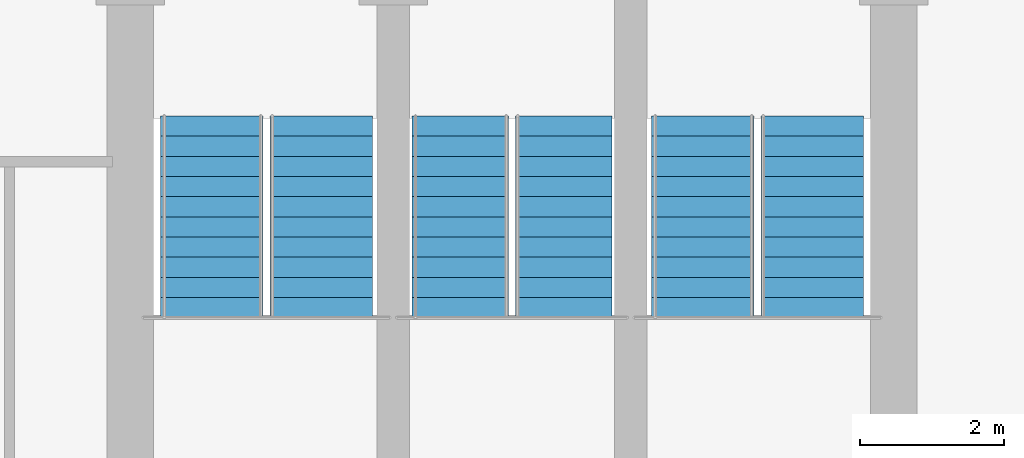
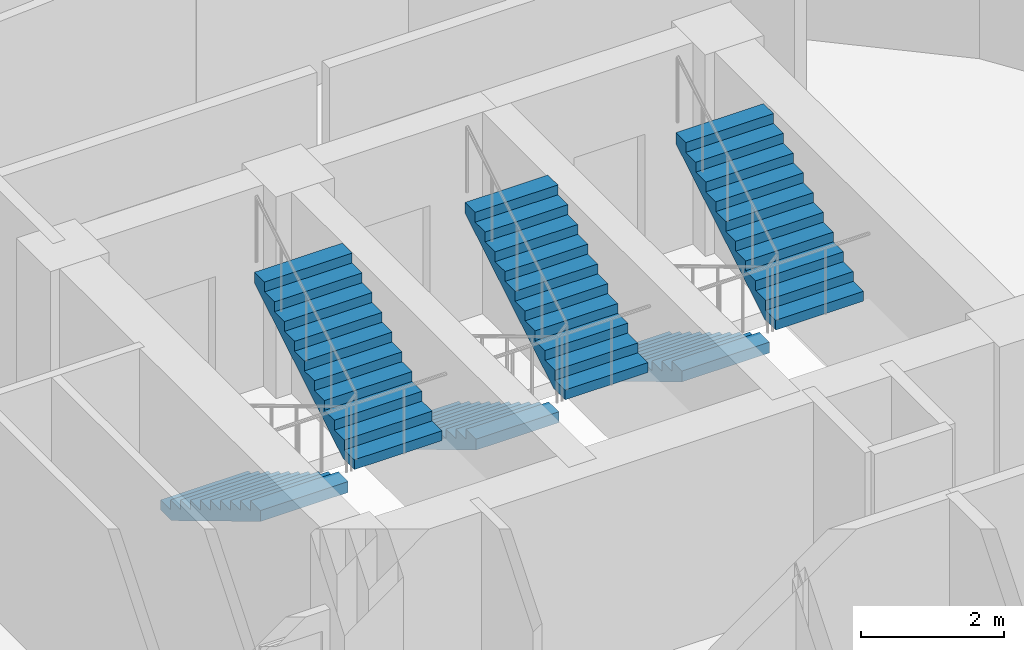
# One storey, part 25 of 26: 6 stair flights, 3 elements without a shape of their own.
"""IFC4 building model written with IfcOpenShell, lengths in metres."""

from ifc_helpers import new_model, si_unit, direction, frame, origin, place, context, subcontext, project, spatial, polyline, outline, extrude, material, type_object, element, aggregate, save


model = new_model("IFC4")

# Units and contexts
model_context = context("Model", 3, precision=1e-05, world=origin(), true_north=direction((0.0, 1.0)))
body_context = subcontext(model_context, "Body", "Model", "MODEL_VIEW")
ifc_project = project(units=[si_unit("LENGTHUNIT", "METRE"), si_unit("AREAUNIT", "SQUARE_METRE"), si_unit("VOLUMEUNIT", "CUBIC_METRE"), si_unit("PLANEANGLEUNIT", "RADIAN"), si_unit("MASSUNIT", "GRAM", prefix="KILO")], contexts=[model_context])

# Site, building, storey
site_placement = place(None, origin())
site = spatial("IfcSite", under=ifc_project, at=site_placement, CompositionType="ELEMENT")
building_placement = place(site_placement, origin())
building = spatial("IfcBuilding", under=site, at=building_placement, Name="Nuhasar Tower", CompositionType="ELEMENT")
storey_placement = place(building_placement, frame((0.0, 0.0, 140.449951171875)))
storey = spatial("IfcBuildingStorey", under=building, at=storey_placement, Name="L33", CompositionType="ELEMENT", Elevation=140.449951171875)

# Stair, stair flights
ifc_material = material(Name="Concrete C45/55", Category="concrete")
stair_type_1 = type_object("IfcStairType", Name="STR-ST-01-2F-22R-1682", PredefinedType="HALF_TURN_STAIR", material=ifc_material)
stair_1_placement = place(storey_placement, origin())
stair_1 = element("IfcStair", 1, at=stair_1_placement, inside=storey, type_object=stair_type_1, Name="L33 Exit Stair ST-01", PredefinedType="HALF_TURN_STAIR")
stair_flight_type_1 = type_object("IfcStairFlightType", Name="SFL-ST-01-11R-1682", PredefinedType="STRAIGHT", material=ifc_material)
stair_flight_1_placement = place(storey_placement, frame((34.830078125, 35.284912109375, 0.0), z_axis=(0.0, 0.0, 1.0), x_axis=(0.0, -1.0, 0.0)))
stair_flight_1 = element("IfcStairFlight", 2, at=stair_flight_1_placement, type_object=stair_flight_type_1, Name="ST-01 flight 1", NumberOfRisers=11, NumberOfTreads=10, PredefinedType="STRAIGHT", RiserHeight=0.168182, TreadLength=0.28, context=body_context, shape_type="SweptSolid", body=[
    extrude(outline(polyline([(0.0, 0.0), (0.0, 0.168212890625), (0.280029296875, 0.168212890625), (0.280029296875, 0.33642578125), (0.56005859375, 0.33642578125), (0.56005859375, 0.504638671875), (0.840087890625, 0.504638671875), (0.840087890625, 0.672607421875), (1.1201171875, 0.672607421875), (1.1201171875, 0.8408203125), (1.39990234375, 0.8408203125), (1.39990234375, 1.009033203125), (1.679931640625, 1.009033203125), (1.679931640625, 1.17724609375), (1.9599609375, 1.17724609375), (1.9599609375, 1.345458984375), (2.239990234375, 1.345458984375), (2.239990234375, 1.513671875), (2.52001953125, 1.513671875), (2.52001953125, 1.681884765625), (2.800048828125, 1.681884765625), (2.800048828125, 1.85009765625), (2.800048828125, 1.495361328125), (0.310546875, 0.0), (0.0, 0.0)])), frame((0.0, 0.7099609375, 0.0), z_axis=(0.0, -1.0, 0.0), x_axis=(1.0, 0.0, 0.0)), (0.0, 0.0, 1.0), 1.419921875),
])
stair_flight_2_placement = place(storey_placement, frame((36.35009765625, 32.485107421875, 1.85009765625), z_axis=(0.0, 0.0, 1.0), x_axis=(0.0, 1.0, 0.0)))
stair_flight_2 = element("IfcStairFlight", 3, at=stair_flight_2_placement, type_object=stair_flight_type_1, Name="ST-01 flight 2", NumberOfRisers=11, NumberOfTreads=10, PredefinedType="STRAIGHT", RiserHeight=0.168182, TreadLength=0.28, context=body_context, shape_type="SweptSolid", body=[
    extrude(outline(polyline([(0.0, 0.0), (0.0, 0.168212890625), (0.280029296875, 0.168212890625), (0.280029296875, 0.33642578125), (0.56005859375, 0.33642578125), (0.56005859375, 0.504638671875), (0.840087890625, 0.504638671875), (0.840087890625, 0.672607421875), (1.1201171875, 0.672607421875), (1.1201171875, 0.8408203125), (1.39990234375, 0.8408203125), (1.39990234375, 1.009033203125), (1.679931640625, 1.009033203125), (1.679931640625, 1.17724609375), (1.9599609375, 1.17724609375), (1.9599609375, 1.345458984375), (2.239990234375, 1.345458984375), (2.239990234375, 1.513671875), (2.52001953125, 1.513671875), (2.52001953125, 1.681884765625), (2.800048828125, 1.681884765625), (2.800048828125, 1.85009765625), (2.800048828125, 1.495361328125), (0.310546875, 0.0), (0.0, 0.0)])), frame((0.0, 0.7099609375, 0.0), z_axis=(0.0, -1.0, 0.0), x_axis=(1.0, 0.0, 0.0)), (0.0, 0.0, 1.0), 1.419921875),
])
aggregate(stair_1, [stair_flight_1, stair_flight_2])

stair_type_2 = type_object("IfcStairType", Name="STR-ST-02-2F-22R-1682", PredefinedType="HALF_TURN_STAIR", material=ifc_material)
stair_2_placement = place(storey_placement, origin())
stair_2 = element("IfcStair", 4, at=stair_2_placement, inside=storey, type_object=stair_type_2, Name="L33 Exit Stair ST-02", PredefinedType="HALF_TURN_STAIR")
stair_flight_type_2 = type_object("IfcStairFlightType", Name="SFL-ST-02-11R-1682", PredefinedType="STRAIGHT", material=ifc_material)
stair_flight_3_placement = place(storey_placement, frame((41.64990234375, 35.284912109375, 0.0), z_axis=(0.0, 0.0, 1.0), x_axis=(0.0, -1.0, 0.0)))
stair_flight_3 = element("IfcStairFlight", 5, at=stair_flight_3_placement, type_object=stair_flight_type_2, Name="ST-02 flight 1", NumberOfRisers=11, NumberOfTreads=10, PredefinedType="STRAIGHT", RiserHeight=0.168182, TreadLength=0.28, context=body_context, shape_type="SweptSolid", body=[
    extrude(outline(polyline([(0.0, 0.0), (0.0, 0.168212890625), (0.280029296875, 0.168212890625), (0.280029296875, 0.33642578125), (0.56005859375, 0.33642578125), (0.56005859375, 0.504638671875), (0.840087890625, 0.504638671875), (0.840087890625, 0.672607421875), (1.1201171875, 0.672607421875), (1.1201171875, 0.8408203125), (1.39990234375, 0.8408203125), (1.39990234375, 1.009033203125), (1.679931640625, 1.009033203125), (1.679931640625, 1.17724609375), (1.9599609375, 1.17724609375), (1.9599609375, 1.345458984375), (2.239990234375, 1.345458984375), (2.239990234375, 1.513671875), (2.52001953125, 1.513671875), (2.52001953125, 1.681884765625), (2.800048828125, 1.681884765625), (2.800048828125, 1.85009765625), (2.800048828125, 1.495361328125), (0.310546875, 0.0), (0.0, 0.0)])), frame((0.0, 0.7099609375, 0.0), z_axis=(0.0, -1.0, 0.0), x_axis=(1.0, 0.0, 0.0)), (0.0, 0.0, 1.0), 1.419921875),
])
stair_flight_4_placement = place(storey_placement, frame((43.169921875, 32.485107421875, 1.85009765625), z_axis=(0.0, 0.0, 1.0), x_axis=(0.0, 1.0, 0.0)))
stair_flight_4 = element("IfcStairFlight", 6, at=stair_flight_4_placement, type_object=stair_flight_type_2, Name="ST-02 flight 2", NumberOfRisers=11, NumberOfTreads=10, PredefinedType="STRAIGHT", RiserHeight=0.168182, TreadLength=0.28, context=body_context, shape_type="SweptSolid", body=[
    extrude(outline(polyline([(0.0, 0.0), (0.0, 0.168212890625), (0.280029296875, 0.168212890625), (0.280029296875, 0.33642578125), (0.56005859375, 0.33642578125), (0.56005859375, 0.504638671875), (0.840087890625, 0.504638671875), (0.840087890625, 0.672607421875), (1.1201171875, 0.672607421875), (1.1201171875, 0.8408203125), (1.39990234375, 0.8408203125), (1.39990234375, 1.009033203125), (1.679931640625, 1.009033203125), (1.679931640625, 1.17724609375), (1.9599609375, 1.17724609375), (1.9599609375, 1.345458984375), (2.239990234375, 1.345458984375), (2.239990234375, 1.513671875), (2.52001953125, 1.513671875), (2.52001953125, 1.681884765625), (2.800048828125, 1.681884765625), (2.800048828125, 1.85009765625), (2.800048828125, 1.495361328125), (0.310546875, 0.0), (0.0, 0.0)])), frame((0.0, 0.7099609375, 0.0), z_axis=(0.0, -1.0, 0.0), x_axis=(1.0, 0.0, 0.0)), (0.0, 0.0, 1.0), 1.419921875),
])
aggregate(stair_2, [stair_flight_3, stair_flight_4])

stair_type_3 = type_object("IfcStairType", Name="STR-ST-03-2F-22R-1682", PredefinedType="HALF_TURN_STAIR", material=ifc_material)
stair_3_placement = place(storey_placement, origin())
stair_3 = element("IfcStair", 7, at=stair_3_placement, inside=storey, type_object=stair_type_3, Name="L33 Exit Stair ST-03", PredefinedType="HALF_TURN_STAIR")
stair_flight_type_3 = type_object("IfcStairFlightType", Name="SFL-ST-03-11R-1682", PredefinedType="STRAIGHT", material=ifc_material)
stair_flight_5_placement = place(storey_placement, frame((38.280029296875, 35.284912109375, 0.0), z_axis=(0.0, 0.0, 1.0), x_axis=(0.0, -1.0, 0.0)))
stair_flight_5 = element("IfcStairFlight", 8, at=stair_flight_5_placement, type_object=stair_flight_type_3, Name="ST-03 flight 1", NumberOfRisers=11, NumberOfTreads=10, PredefinedType="STRAIGHT", RiserHeight=0.168182, TreadLength=0.28, context=body_context, shape_type="SweptSolid", body=[
    extrude(outline(polyline([(0.0, 0.0), (0.0, 0.168212890625), (0.280029296875, 0.168212890625), (0.280029296875, 0.33642578125), (0.56005859375, 0.33642578125), (0.56005859375, 0.504638671875), (0.840087890625, 0.504638671875), (0.840087890625, 0.672607421875), (1.1201171875, 0.672607421875), (1.1201171875, 0.8408203125), (1.39990234375, 0.8408203125), (1.39990234375, 1.009033203125), (1.679931640625, 1.009033203125), (1.679931640625, 1.17724609375), (1.9599609375, 1.17724609375), (1.9599609375, 1.345458984375), (2.239990234375, 1.345458984375), (2.239990234375, 1.513671875), (2.52001953125, 1.513671875), (2.52001953125, 1.681884765625), (2.800048828125, 1.681884765625), (2.800048828125, 1.85009765625), (2.800048828125, 1.495361328125), (0.310546875, 0.0), (0.0, 0.0)])), frame((0.0, 0.669921875, 0.0), z_axis=(0.0, -1.0, 0.0), x_axis=(1.0, 0.0, 0.0)), (0.0, 0.0, 1.0), 1.340087890625),
])
stair_flight_6_placement = place(storey_placement, frame((39.719970703125, 32.485107421875, 1.85009765625), z_axis=(0.0, 0.0, 1.0), x_axis=(0.0, 1.0, 0.0)))
stair_flight_6 = element("IfcStairFlight", 9, at=stair_flight_6_placement, type_object=stair_flight_type_3, Name="ST-03 flight 2", NumberOfRisers=11, NumberOfTreads=10, PredefinedType="STRAIGHT", RiserHeight=0.168182, TreadLength=0.28, context=body_context, shape_type="SweptSolid", body=[
    extrude(outline(polyline([(0.0, 0.0), (0.0, 0.168212890625), (0.280029296875, 0.168212890625), (0.280029296875, 0.33642578125), (0.56005859375, 0.33642578125), (0.56005859375, 0.504638671875), (0.840087890625, 0.504638671875), (0.840087890625, 0.672607421875), (1.1201171875, 0.672607421875), (1.1201171875, 0.8408203125), (1.39990234375, 0.8408203125), (1.39990234375, 1.009033203125), (1.679931640625, 1.009033203125), (1.679931640625, 1.17724609375), (1.9599609375, 1.17724609375), (1.9599609375, 1.345458984375), (2.239990234375, 1.345458984375), (2.239990234375, 1.513671875), (2.52001953125, 1.513671875), (2.52001953125, 1.681884765625), (2.800048828125, 1.681884765625), (2.800048828125, 1.85009765625), (2.800048828125, 1.495361328125), (0.310546875, 0.0), (0.0, 0.0)])), frame((0.0, 0.669921875, 0.0), z_axis=(0.0, -1.0, 0.0), x_axis=(1.0, 0.0, 0.0)), (0.0, 0.0, 1.0), 1.340087890625),
])
aggregate(stair_3, [stair_flight_5, stair_flight_6])

save(model, "model.ifc")
